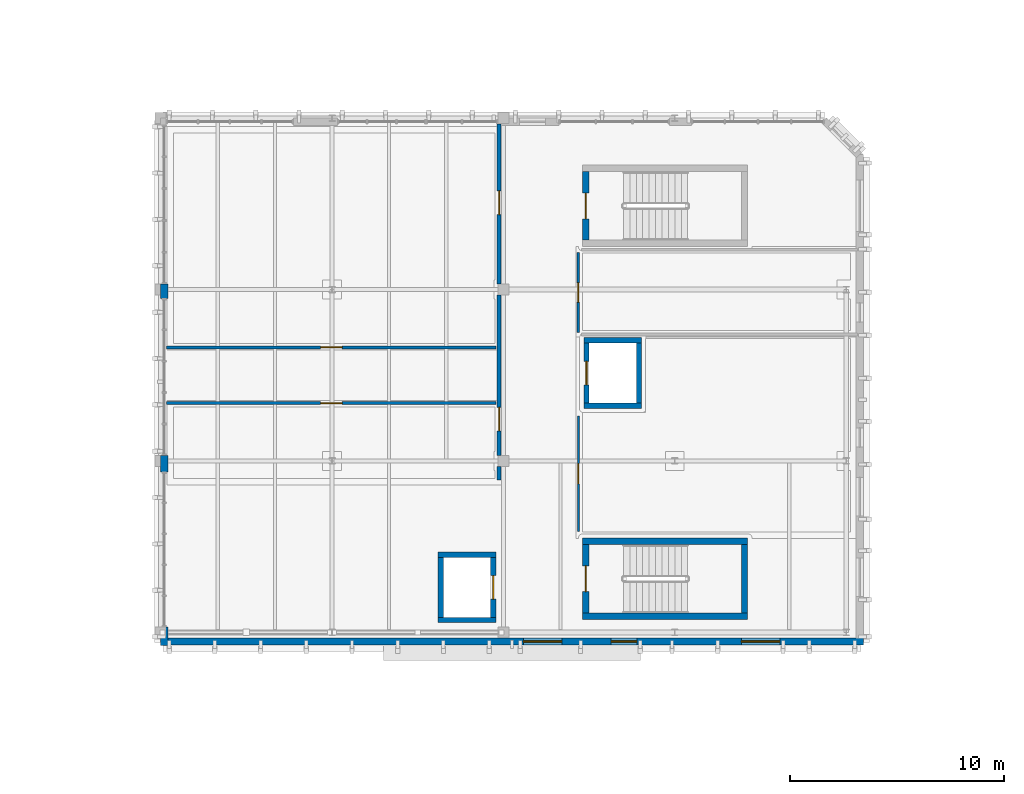
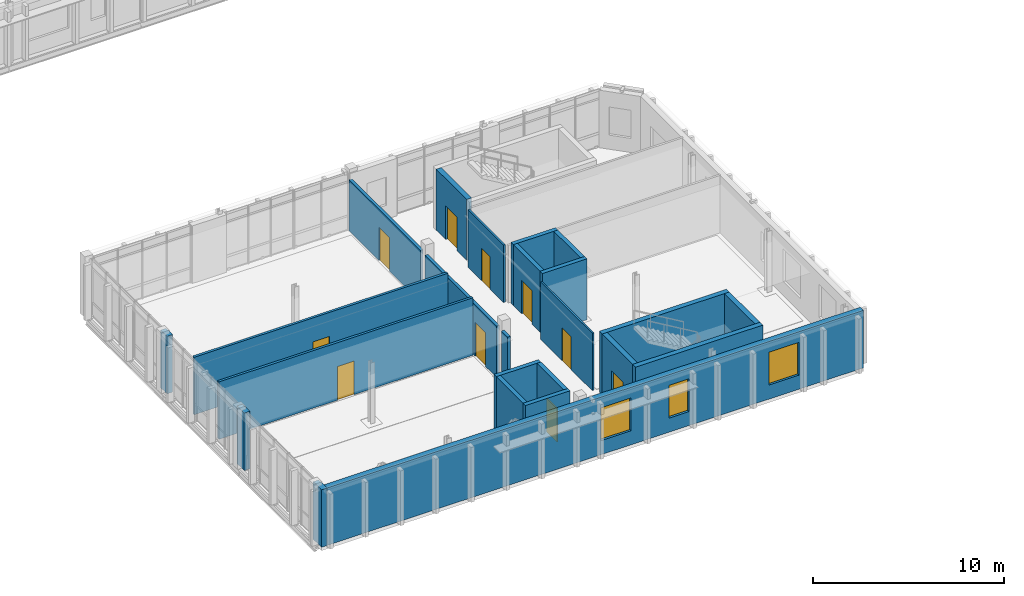
# One storey, part 26 of 40: 24 walls, 10 doors, 3 windows, 13 openings.
"""IFC4 building model written with IfcOpenShell, lengths in metres."""

from ifc_helpers import new_model, si_unit, direction, frame, frame_2d, origin, place, context, subcontext, project, spatial, rectangle, extrude, material, layer, layer_set, type_object, element, fill, save


model = new_model("IFC4")

# Units and contexts
model_context = context("Model", 3, precision=1e-05, world=origin(), true_north=direction((0.0, 1.0)))
body_context = subcontext(model_context, "Body", "Model", "MODEL_VIEW")
ifc_project = project(units=[si_unit("LENGTHUNIT", "METRE"), si_unit("AREAUNIT", "SQUARE_METRE"), si_unit("VOLUMEUNIT", "CUBIC_METRE"), si_unit("PLANEANGLEUNIT", "RADIAN"), si_unit("MASSUNIT", "GRAM", prefix="KILO")], contexts=[model_context])

# Site, building, storey
site_placement = place(None, origin())
site = spatial("IfcSite", under=ifc_project, at=site_placement, CompositionType="ELEMENT")
building_placement = place(site_placement, origin())
building = spatial("IfcBuilding", under=site, at=building_placement, Name="Cymarion Research Institute", CompositionType="ELEMENT")
storey_placement = place(building_placement, frame((0.0, 0.0, 26.699951171875)))
storey = spatial("IfcBuildingStorey", under=building, at=storey_placement, Name="L06", CompositionType="ELEMENT", Elevation=26.699951171875)

# Wall, openings, windows
ifc_material_1 = material(Name="Precast concrete C40/50", Category="concrete")
ifc_layer_1 = layer(ifc_material_1, 0.340087890625)
ifc_layer_set_1 = layer_set([ifc_layer_1], Name="Precast concrete C40/50")
wall_type_1 = type_object("IfcWallType", Name="EXTERIOR WALL EW-PC340 340MM", PredefinedType="SOLIDWALL", material=ifc_layer_set_1)
wall_1_placement = place(storey_placement, frame((14.922119140625, 47.070068359375, 0.0), z_axis=(0.0, 0.0, 1.0), x_axis=(1.0, 0.0, 0.0)))
wall_1 = element("IfcWall", 1, at=wall_1_placement, inside=storey, type_object=wall_type_1, Name="L06 V4 exterior wall EW-PC340 #260", PredefinedType="SOLIDWALL", context=body_context, shape_type="SweptSolid", body=[
    extrude(rectangle(XDim=32.477783203125, YDim=0.340087890625, at=frame_2d((16.23876953125, 0.0))), origin(), (0.0, 0.0, 1.0), 3.679931640625),
])
opening_1_placement = place(wall_1_placement, frame((16.60791015625, 0.0, 0.89990234375)))
opening_1 = element("IfcOpeningElement", 2, at=opening_1_placement, cuts=wall_1, Name="Opening W10", PredefinedType="OPENING", context=body_context, shape_type="SweptSolid", body=[
    extrude(rectangle(XDim=1.800048828125, YDim=2.10009765625, at=frame_2d((0.89990234375, 1.050048828125))), frame((0.0, 0.179931640625, 0.0), z_axis=(0.0, -1.0, 0.0), x_axis=(1.0, 0.0, 0.0)), (0.0, 0.0, 1.0), 0.360107421875),
])
opening_2_placement = place(wall_1_placement, frame((20.7080078125, 0.0, 0.89990234375)))
opening_2 = element("IfcOpeningElement", 3, at=opening_2_placement, cuts=wall_1, Name="Opening W08", PredefinedType="OPENING", context=body_context, shape_type="SweptSolid", body=[
    extrude(rectangle(XDim=1.199951171875, YDim=2.10009765625, at=frame_2d((0.60009765625, 1.050048828125))), frame((0.0, 0.179931640625, 0.0), z_axis=(0.0, -1.0, 0.0), x_axis=(1.0, 0.0, 0.0)), (0.0, 0.0, 1.0), 0.360107421875),
])
opening_3_placement = place(wall_1_placement, frame((26.778076171875, 0.0, 0.89990234375)))
opening_3 = element("IfcOpeningElement", 4, at=opening_3_placement, cuts=wall_1, Name="Opening W10", PredefinedType="OPENING", context=body_context, shape_type="SweptSolid", body=[
    extrude(rectangle(XDim=1.800048828125, YDim=2.10009765625, at=frame_2d((0.89990234375, 1.050048828125))), frame((0.0, 0.179931640625, 0.0), z_axis=(0.0, -1.0, 0.0), x_axis=(1.0, 0.0, 0.0)), (0.0, 0.0, 1.0), 0.360107421875),
])
ifc_material_2 = material(Name="Thermally broken aluminium window with Low-E glazing", Category="aluminium")
window_type_1 = type_object("IfcWindowType", Name="THERMALLY BROKEN ALUMINIUM WINDOW W08 1200X2100", PartitioningType="SINGLE_PANEL", PredefinedType="WINDOW", material=ifc_material_2)
window_1_placement = place(opening_2_placement, origin())
window_1 = element("IfcWindow", 5, at=window_1_placement, inside=storey, type_object=window_type_1, Name="L06 V4 facade window W08 #476", OverallHeight=2.10009765625, OverallWidth=1.199951171875, PartitioningType="SINGLE_PANEL", PredefinedType="WINDOW", context=body_context, shape_type="SweptSolid", body=[
    extrude(rectangle(XDim=1.199951171875, YDim=2.10009765625, at=frame_2d((0.60009765625, 1.050048828125))), frame((0.0, 0.030029296875, 0.0), z_axis=(0.0, -1.0, 0.0), x_axis=(1.0, 0.0, 0.0)), (0.0, 0.0, 1.0), 0.06005859375),
])
fill(opening_2, window_1)
window_type_2 = type_object("IfcWindowType", Name="THERMALLY BROKEN ALUMINIUM WINDOW W10 1800X2100", PartitioningType="DOUBLE_PANEL_VERTICAL", PredefinedType="WINDOW", material=ifc_material_2)
window_2_placement = place(opening_1_placement, origin())
window_2 = element("IfcWindow", 6, at=window_2_placement, inside=storey, type_object=window_type_2, Name="L06 V4 facade window W10 #475", OverallHeight=2.10009765625, OverallWidth=1.800048828125, PartitioningType="SINGLE_PANEL", PredefinedType="WINDOW", context=body_context, shape_type="SweptSolid", body=[
    extrude(rectangle(XDim=1.800048828125, YDim=2.10009765625, at=frame_2d((0.89990234375, 1.050048828125))), frame((0.0, 0.030029296875, 0.0), z_axis=(0.0, -1.0, 0.0), x_axis=(1.0, 0.0, 0.0)), (0.0, 0.0, 1.0), 0.06005859375),
])
fill(opening_1, window_2)
window_3_placement = place(opening_3_placement, origin())
window_3 = element("IfcWindow", 7, at=window_3_placement, inside=storey, type_object=window_type_2, Name="L06 V4 facade window W10 #477", OverallHeight=2.10009765625, OverallWidth=1.800048828125, PartitioningType="SINGLE_PANEL", PredefinedType="WINDOW", context=body_context, shape_type="SweptSolid", body=[
    extrude(rectangle(XDim=1.800048828125, YDim=2.10009765625, at=frame_2d((0.89990234375, 1.050048828125))), frame((0.0, 0.030029296875, 0.0), z_axis=(0.0, -1.0, 0.0), x_axis=(1.0, 0.0, 0.0)), (0.0, 0.0, 1.0), 0.06005859375),
])
fill(opening_3, window_3)

# Walls
wall_2_placement = place(storey_placement, frame((14.77001953125, 63.760009765625, 0.0), z_axis=(0.0, 0.0, 1.0), x_axis=(0.0, -1.0, 0.0)))
element("IfcWall", 8, at=wall_2_placement, inside=storey, type_object=wall_type_1, Name="L06 V4 facade pier wall EW-PC340 #267", PredefinedType="SOLIDWALL", context=body_context, shape_type="SweptSolid", body=[
    extrude(rectangle(XDim=0.6748046875, YDim=0.340087890625, at=frame_2d((0.33740234375, 0.0))), origin(), (0.0, 0.0, 1.0), 3.679931640625),
])
wall_3_placement = place(storey_placement, frame((14.77001953125, 55.760009765625, 0.0), z_axis=(0.0, 0.0, 1.0), x_axis=(0.0, -1.0, 0.0)))
element("IfcWall", 9, at=wall_3_placement, inside=storey, type_object=wall_type_1, Name="L06 V4 facade pier wall EW-PC340 #268", PredefinedType="SOLIDWALL", context=body_context, shape_type="SweptSolid", body=[
    extrude(rectangle(XDim=0.767333984375, YDim=0.340087890625, at=frame_2d((0.3837890625, 0.0))), origin(), (0.0, 0.0, 1.0), 3.679931640625),
])
wall_4_placement = place(storey_placement, frame((14.77001953125, 47.760009765625, 0.0), z_axis=(0.0, 0.0, 1.0), x_axis=(0.0, -1.0, 0.0)))
element("IfcWall", 10, at=wall_4_placement, inside=storey, type_object=wall_type_1, Name="L06 V4 facade pier wall EW-PC340 #269", PredefinedType="SOLIDWALL", context=body_context, shape_type="SweptSolid", body=[
    extrude(rectangle(XDim=0.860107421875, YDim=0.340087890625, at=frame_2d((0.43017578125, 0.0))), origin(), (0.0, 0.0, 1.0), 3.679931640625),
])

# Wall, opening, door
ifc_material_3 = material(Name="Gypsum acoustic double-stud partition", Category="gypsum")
ifc_layer_2 = layer(ifc_material_3, 0.14990234375)
ifc_layer_set_2 = layer_set([ifc_layer_2], Name="Gypsum acoustic double-stud partition")
wall_type_2 = type_object("IfcWallType", Name="INTERIOR PARTITION IW-AC150 150MM", PredefinedType="PARTITIONING", material=ifc_layer_set_2)
wall_5_placement = place(storey_placement, frame((14.885009765625, 58.199951171875, 0.0), z_axis=(0.0, 0.0, 1.0), x_axis=(1.0, 0.0, 0.0)))
wall_5 = element("IfcWall", 11, at=wall_5_placement, inside=storey, type_object=wall_type_2, Name="L06 V4 interior partition IW-AC150 #357", PredefinedType="PARTITIONING", context=body_context, shape_type="SweptSolid", body=[
    extrude(rectangle(XDim=15.364990234375, YDim=0.14990234375, at=frame_2d((7.6826171875, 0.0))), origin(), (0.0, 0.0, 1.0), 3.679931640625),
])
opening_4_placement = place(wall_5_placement, frame((7.181884765625, 0.0, 0.0)))
opening_4 = element("IfcOpeningElement", 12, at=opening_4_placement, cuts=wall_5, Name="Opening D-L06-211", PredefinedType="OPENING", context=body_context, shape_type="SweptSolid", body=[
    extrude(rectangle(XDim=1.0, YDim=2.14990234375, at=frame_2d((0.5, 1.074951171875))), frame((0.0, 0.0849609375, 0.0), z_axis=(0.0, -1.0, 0.0), x_axis=(1.0, 0.0, 0.0)), (0.0, 0.0, 1.0), 0.169921875),
])
ifc_material_4 = material(Name="Flush acoustic timber/steel door assembly", Category="steel")
door_type_1 = type_object("IfcDoorType", Name="LABORATORY SINGLE LEAF DOOR DT-LB100 1000X2150", OperationType="NOTDEFINED", PredefinedType="DOOR", material=ifc_material_4)
door_1_placement = place(opening_4_placement, origin())
door_1 = element("IfcDoor", 13, at=door_1_placement, inside=storey, type_object=door_type_1, Name="L06 Laser Lab door D-L06-211", OperationType="SINGLE_SWING_RIGHT", OverallHeight=2.14990234375, OverallWidth=1.0, PredefinedType="DOOR", context=body_context, shape_type="SweptSolid", body=[
    extrude(rectangle(XDim=1.0, YDim=2.14990234375, at=frame_2d((0.5, 1.074951171875))), frame((0.0, 0.02490234375, 0.0), z_axis=(0.0, -1.0, 0.0), x_axis=(1.0, 0.0, 0.0)), (0.0, 0.0, 1.0), 0.050048828125),
])
fill(opening_4, door_1)

wall_6_placement = place(storey_placement, frame((14.885009765625, 60.800048828125, 0.0), z_axis=(0.0, 0.0, 1.0), x_axis=(1.0, 0.0, 0.0)))
wall_6 = element("IfcWall", 14, at=wall_6_placement, inside=storey, type_object=wall_type_2, Name="L06 V4 interior partition IW-AC150 #358", PredefinedType="PARTITIONING", context=body_context, shape_type="SweptSolid", body=[
    extrude(rectangle(XDim=15.364990234375, YDim=0.14990234375, at=frame_2d((7.6826171875, 0.0))), origin(), (0.0, 0.0, 1.0), 3.679931640625),
])
opening_5_placement = place(wall_6_placement, frame((7.181884765625, 0.0, 0.0)))
opening_5 = element("IfcOpeningElement", 15, at=opening_5_placement, cuts=wall_6, Name="Opening D-L06-212", PredefinedType="OPENING", context=body_context, shape_type="SweptSolid", body=[
    extrude(rectangle(XDim=1.0, YDim=2.14990234375, at=frame_2d((0.5, 1.074951171875))), frame((0.0, 0.0849609375, 0.0), z_axis=(0.0, -1.0, 0.0), x_axis=(1.0, 0.0, 0.0)), (0.0, 0.0, 1.0), 0.169921875),
])
door_2_placement = place(opening_5_placement, origin())
door_2 = element("IfcDoor", 16, at=door_2_placement, inside=storey, type_object=door_type_1, Name="L06 Photonics Lab door D-L06-212", OperationType="SINGLE_SWING_LEFT", OverallHeight=2.14990234375, OverallWidth=1.0, PredefinedType="DOOR", context=body_context, shape_type="SweptSolid", body=[
    extrude(rectangle(XDim=1.0, YDim=2.14990234375, at=frame_2d((0.5, 1.074951171875))), frame((0.0, 0.02490234375, 0.0), z_axis=(0.0, -1.0, 0.0), x_axis=(1.0, 0.0, 0.0)), (0.0, 0.0, 1.0), 0.050048828125),
])
fill(opening_5, door_2)

ifc_material_5 = material(Name="Framed acoustic glass laboratory screen", Category="glass")
ifc_layer_3 = layer(ifc_material_5, 0.10009765625)
ifc_layer_set_3 = layer_set([ifc_layer_3], Name="Framed acoustic glass laboratory screen")
wall_type_3 = type_object("IfcWallType", Name="INTERIOR PARTITION IW-GL100 100MM", PredefinedType="PARTITIONING", material=ifc_layer_set_3)
wall_7_placement = place(storey_placement, frame((34.10009765625, 52.199951171875, 0.0), z_axis=(0.0, 0.0, 1.0), x_axis=(0.0, 1.0, 0.0)))
wall_7 = element("IfcWall", 17, at=wall_7_placement, inside=storey, type_object=wall_type_3, Name="L06 V4 interior partition IW-GL100 #362", PredefinedType="PARTITIONING", context=body_context, shape_type="SweptSolid", body=[
    extrude(rectangle(XDim=5.400146484375, YDim=0.10009765625, at=frame_2d((2.7001953125, 0.0))), origin(), (0.0, 0.0, 1.0), 3.679931640625),
])
opening_6_placement = place(wall_7_placement, frame((2.22509765625, 0.0, 0.0)))
opening_6 = element("IfcOpeningElement", 18, at=opening_6_placement, cuts=wall_7, Name="Opening D-L06-215", PredefinedType="OPENING", context=body_context, shape_type="SweptSolid", body=[
    extrude(rectangle(XDim=0.949951171875, YDim=2.10009765625, at=frame_2d((0.47509765625, 1.050048828125))), frame((0.0, 0.06005859375, 0.0), z_axis=(0.0, -1.0, 0.0), x_axis=(1.0, 0.0, 0.0)), (0.0, 0.0, 1.0), 0.1201171875),
])
door_type_2 = type_object("IfcDoorType", Name="FACULTY STUDY DOOR DT-OF095 950X2100", OperationType="NOTDEFINED", PredefinedType="DOOR", material=ifc_material_4)
door_3_placement = place(opening_6_placement, origin())
door_3 = element("IfcDoor", 19, at=door_3_placement, inside=storey, type_object=door_type_2, Name="L06 East Write-up door D-L06-215", OperationType="SINGLE_SWING_RIGHT", OverallHeight=2.10009765625, OverallWidth=0.949951171875, PredefinedType="DOOR", context=body_context, shape_type="SweptSolid", body=[
    extrude(rectangle(XDim=0.949951171875, YDim=2.10009765625, at=frame_2d((0.47509765625, 1.050048828125))), frame((0.0, 0.02490234375, 0.0), z_axis=(0.0, -1.0, 0.0), x_axis=(1.0, 0.0, 0.0)), (0.0, 0.0, 1.0), 0.050048828125),
])
fill(opening_6, door_3)

# Wall
ifc_material_6 = material(Name="Moisture-resistant laboratory partition", Category="gypsum")
ifc_layer_4 = layer(ifc_material_6, 0.179931640625)
ifc_layer_set_4 = layer_set([ifc_layer_4], Name="Moisture-resistant laboratory partition")
wall_type_4 = type_object("IfcWallType", Name="INTERIOR PARTITION IW-LB180 180MM", PredefinedType="PARTITIONING", material=ifc_layer_set_4)
wall_8_placement = place(storey_placement, frame((30.39990234375, 54.60009765625, 0.0), z_axis=(0.0, 0.0, 1.0), x_axis=(0.0, 1.0, 0.0)))
element("IfcWall", 20, at=wall_8_placement, inside=storey, type_object=wall_type_4, Name="L06 V4 interior partition IW-LB180 #359", PredefinedType="PARTITIONING", context=body_context, shape_type="SweptSolid", body=[
    extrude(rectangle(XDim=0.64990234375, YDim=0.179931640625, at=frame_2d((0.324951171875, 0.0))), origin(), (0.0, 0.0, 1.0), 3.280029296875),
])

# Wall, opening, door
wall_9_placement = place(storey_placement, frame((30.39990234375, 55.75, 0.0), z_axis=(0.0, 0.0, 1.0), x_axis=(0.0, 1.0, 0.0)))
wall_9 = element("IfcWall", 21, at=wall_9_placement, inside=storey, type_object=wall_type_4, Name="L06 V4 interior partition IW-LB180 #360", PredefinedType="PARTITIONING", context=body_context, shape_type="SweptSolid", body=[
    extrude(rectangle(XDim=7.5, YDim=0.179931640625, at=frame_2d((3.75, 0.0))), origin(), (0.0, 0.0, 1.0), 3.280029296875),
])
opening_7_placement = place(wall_9_placement, frame((1.152099609375, 0.0, 0.0)))
opening_7 = element("IfcOpeningElement", 22, at=opening_7_placement, cuts=wall_9, Name="Opening D-L06-213", PredefinedType="OPENING", context=body_context, shape_type="SweptSolid", body=[
    extrude(rectangle(XDim=1.10009765625, YDim=2.14990234375, at=frame_2d((0.550048828125, 1.074951171875))), frame((0.0, 0.099853515625, 0.0), z_axis=(0.0, -1.0, 0.0), x_axis=(1.0, 0.0, 0.0)), (0.0, 0.0, 1.0), 0.199951171875),
])
door_type_3 = type_object("IfcDoorType", Name="LABORATORY WIDE SINGLE DOOR DT-LB110 1100X2150", OperationType="NOTDEFINED", PredefinedType="DOOR", material=ifc_material_4)
door_4_placement = place(opening_7_placement, origin())
door_4 = element("IfcDoor", 23, at=door_4_placement, inside=storey, type_object=door_type_3, Name="L06 Optics South door D-L06-213", OperationType="SINGLE_SWING_RIGHT", OverallHeight=2.14990234375, OverallWidth=1.10009765625, PredefinedType="DOOR", context=body_context, shape_type="SweptSolid", body=[
    extrude(rectangle(XDim=1.10009765625, YDim=2.14990234375, at=frame_2d((0.550048828125, 1.074951171875))), frame((0.0, 0.02490234375, 0.0), z_axis=(0.0, -1.0, 0.0), x_axis=(1.0, 0.0, 0.0)), (0.0, 0.0, 1.0), 0.050048828125),
])
fill(opening_7, door_4)

wall_10_placement = place(storey_placement, frame((30.39990234375, 63.75, 0.0), z_axis=(0.0, 0.0, 1.0), x_axis=(0.0, 1.0, 0.0)))
wall_10 = element("IfcWall", 24, at=wall_10_placement, inside=storey, type_object=wall_type_4, Name="L06 V4 interior partition IW-LB180 #361", PredefinedType="PARTITIONING", context=body_context, shape_type="SweptSolid", body=[
    extrude(rectangle(XDim=7.465087890625, YDim=0.179931640625, at=frame_2d((3.732421875, 0.0))), origin(), (0.0, 0.0, 1.0), 3.280029296875),
])
opening_8_placement = place(wall_10_placement, frame((3.248046875, 0.0, 0.0)))
opening_8 = element("IfcOpeningElement", 25, at=opening_8_placement, cuts=wall_10, Name="Opening D-L06-214", PredefinedType="OPENING", context=body_context, shape_type="SweptSolid", body=[
    extrude(rectangle(XDim=1.10009765625, YDim=2.14990234375, at=frame_2d((0.550048828125, 1.074951171875))), frame((0.0, 0.099853515625, 0.0), z_axis=(0.0, -1.0, 0.0), x_axis=(1.0, 0.0, 0.0)), (0.0, 0.0, 1.0), 0.199951171875),
])
door_5_placement = place(opening_8_placement, origin())
door_5 = element("IfcDoor", 26, at=door_5_placement, inside=storey, type_object=door_type_3, Name="L06 Optics North door D-L06-214", OperationType="SINGLE_SWING_LEFT", OverallHeight=2.14990234375, OverallWidth=1.10009765625, PredefinedType="DOOR", context=body_context, shape_type="SweptSolid", body=[
    extrude(rectangle(XDim=1.10009765625, YDim=2.14990234375, at=frame_2d((0.550048828125, 1.074951171875))), frame((0.0, 0.02490234375, 0.0), z_axis=(0.0, -1.0, 0.0), x_axis=(1.0, 0.0, 0.0)), (0.0, 0.0, 1.0), 0.050048828125),
])
fill(opening_8, door_5)

ifc_material_7 = material(Name="Service riser shaft wall", Category="gypsum")
ifc_layer_5 = layer(ifc_material_7, 0.1201171875)
ifc_layer_set_5 = layer_set([ifc_layer_5], Name="Service riser shaft wall")
wall_type_5 = type_object("IfcWallType", Name="INTERIOR PARTITION IW-SH120 120MM", PredefinedType="PARTITIONING", material=ifc_layer_set_5)
wall_11_placement = place(storey_placement, frame((34.10009765625, 61.5, 0.0), z_axis=(0.0, 0.0, 1.0), x_axis=(0.0, 1.0, 0.0)))
wall_11 = element("IfcWall", 27, at=wall_11_placement, inside=storey, type_object=wall_type_5, Name="L06 V4 interior partition IW-SH120 #363", PredefinedType="PARTITIONING", context=body_context, shape_type="SweptSolid", body=[
    extrude(rectangle(XDim=3.719970703125, YDim=0.1201171875, at=frame_2d((1.85986328125, 0.0))), origin(), (0.0, 0.0, 1.0), 3.679931640625),
])
opening_9_placement = place(wall_11_placement, frame((1.409912109375, 0.0, 0.0)))
opening_9 = element("IfcOpeningElement", 28, at=opening_9_placement, cuts=wall_11, Name="Opening D-L06-216", PredefinedType="OPENING", context=body_context, shape_type="SweptSolid", body=[
    extrude(rectangle(XDim=0.89990234375, YDim=2.10009765625, at=frame_2d((0.449951171875, 1.050048828125))), frame((0.0, 0.070068359375, 0.0), z_axis=(0.0, -1.0, 0.0), x_axis=(1.0, 0.0, 0.0)), (0.0, 0.0, 1.0), 0.14013671875),
])
door_type_4 = type_object("IfcDoorType", Name="ACCESSIBLE RESTROOM DOOR DT-WC090 900X2100", OperationType="NOTDEFINED", PredefinedType="DOOR", material=ifc_material_4)
door_6_placement = place(opening_9_placement, origin())
door_6 = element("IfcDoor", 29, at=door_6_placement, inside=storey, type_object=door_type_4, Name="L06 Upper V4 WC door D-L06-216", OperationType="SINGLE_SWING_LEFT", OverallHeight=2.10009765625, OverallWidth=0.89990234375, PredefinedType="DOOR", context=body_context, shape_type="SweptSolid", body=[
    extrude(rectangle(XDim=0.89990234375, YDim=2.10009765625, at=frame_2d((0.449951171875, 1.050048828125))), frame((0.0, 0.02490234375, 0.0), z_axis=(0.0, -1.0, 0.0), x_axis=(1.0, 0.0, 0.0)), (0.0, 0.0, 1.0), 0.050048828125),
])
fill(opening_9, door_6)

# Walls
ifc_material_8 = material(Name="Concrete C40/50", Category="concrete")
ifc_layer_6 = layer(ifc_material_8, 0.25)
ifc_layer_set_6 = layer_set([ifc_layer_6], Name="Concrete C40/50")
wall_type_6 = type_object("IfcWallType", Name="REINFORCED CONCRETE CORE WALL CW-SH250 250MM", PredefinedType="SHEAR", material=ifc_layer_set_6)
for number, where, z_axis, x_axis, name in (
    (30, (27.550048828125, 48.074951171875, 0.0), (0.0, 0.0, 1.0), (1.0, 0.0, 0.0), "L06 LSH-LP1-L06 south core wall"),
    (31, (30.25, 51.125, 0.0), (0.0, 0.0, 1.0), (-1.0, 0.0, 0.0), "L06 LSH-LP1-L06 north core wall"),
):
    element("IfcWall", number, at=place(storey_placement, frame(where, z_axis=z_axis, x_axis=x_axis)), inside=storey, type_object=wall_type_6, Name=name, PredefinedType="SHEAR", context=body_context, shape_type="SweptSolid", body=[
        extrude(rectangle(XDim=2.699951171875, YDim=0.25, at=frame_2d((1.35009765625, 0.0))), origin(), (0.0, 0.0, 1.0), 3.900146484375),
    ])
wall_12_placement = place(storey_placement, frame((27.675048828125, 51.0, 0.0), z_axis=(0.0, 0.0, 1.0), x_axis=(0.0, -1.0, 0.0)))
element("IfcWall", 32, at=wall_12_placement, inside=storey, type_object=wall_type_6, Name="L06 LSH-LP1-L06 west core wall", PredefinedType="SHEAR", context=body_context, shape_type="SweptSolid", body=[
    extrude(rectangle(XDim=2.800048828125, YDim=0.25, at=frame_2d((1.39990234375, 0.0))), origin(), (0.0, 0.0, 1.0), 3.900146484375),
])

# Wall, opening, door
wall_13_placement = place(storey_placement, frame((30.125, 48.199951171875, 0.0), z_axis=(0.0, 0.0, 1.0), x_axis=(0.0, 1.0, 0.0)))
wall_13 = element("IfcWall", 33, at=wall_13_placement, inside=storey, type_object=wall_type_6, Name="L06 LSH-LP1-L06 east core wall", PredefinedType="SHEAR", context=body_context, shape_type="SweptSolid", body=[
    extrude(rectangle(XDim=2.800048828125, YDim=0.25, at=frame_2d((1.39990234375, 0.0))), origin(), (0.0, 0.0, 1.0), 3.900146484375),
])
opening_10_placement = place(wall_13_placement, frame((0.85009765625, 0.0, 0.0)))
opening_10 = element("IfcOpeningElement", 34, at=opening_10_placement, cuts=wall_13, Name="Opening LD-LP1-L06", PredefinedType="OPENING", context=body_context, shape_type="SweptSolid", body=[
    extrude(rectangle(XDim=1.10009765625, YDim=2.14990234375, at=frame_2d((0.550048828125, 1.074951171875))), frame((0.0, 0.135009765625, 0.0), z_axis=(0.0, -1.0, 0.0), x_axis=(1.0, 0.0, 0.0)), (0.0, 0.0, 1.0), 0.27001953125),
])
ifc_material_9 = material(Name="Fire-rated insulated steel door assembly", Category="steel")
door_type_5 = type_object("IfcDoorType", Name="SLIDING LIFT LANDING DOOR DT-LD110 1100X2150", OperationType="DOUBLE_DOOR_SLIDING", PredefinedType="DOOR", material=ifc_material_9)
door_7_placement = place(opening_10_placement, origin())
door_7 = element("IfcDoor", 35, at=door_7_placement, inside=storey, type_object=door_type_5, Name="Lift LP1 landing door L06", OperationType="DOUBLE_DOOR_SLIDING", OverallHeight=2.14990234375, OverallWidth=1.10009765625, PredefinedType="DOOR", context=body_context, shape_type="SweptSolid", body=[
    extrude(rectangle(XDim=1.10009765625, YDim=2.14990234375, at=frame_2d((0.550048828125, 1.074951171875))), frame((0.0, 0.02490234375, 0.0), z_axis=(0.0, -1.0, 0.0), x_axis=(1.0, 0.0, 0.0)), (0.0, 0.0, 1.0), 0.050048828125),
])
fill(opening_10, door_7)

# Walls
for number, where, z_axis, x_axis, name in (
    (36, (34.35009765625, 58.074951171875, 0.0), (0.0, 0.0, 1.0), (1.0, 0.0, 0.0), "L06 LSH-LP4-L06 south core wall"),
    (37, (37.050048828125, 61.125, 0.0), (0.0, 0.0, 1.0), (-1.0, 0.0, 0.0), "L06 LSH-LP4-L06 north core wall"),
):
    element("IfcWall", number, at=place(storey_placement, frame(where, z_axis=z_axis, x_axis=x_axis)), inside=storey, type_object=wall_type_6, Name=name, PredefinedType="SHEAR", context=body_context, shape_type="SweptSolid", body=[
        extrude(rectangle(XDim=2.699951171875, YDim=0.25, at=frame_2d((1.35009765625, 0.0))), origin(), (0.0, 0.0, 1.0), 3.900146484375),
    ])

# Wall, opening, door
wall_14_placement = place(storey_placement, frame((34.47509765625, 61.0, 0.0), z_axis=(0.0, 0.0, 1.0), x_axis=(0.0, -1.0, 0.0)))
wall_14 = element("IfcWall", 38, at=wall_14_placement, inside=storey, type_object=wall_type_6, Name="L06 LSH-LP4-L06 west core wall", PredefinedType="SHEAR", context=body_context, shape_type="SweptSolid", body=[
    extrude(rectangle(XDim=2.800048828125, YDim=0.25, at=frame_2d((1.39990234375, 0.0))), origin(), (0.0, 0.0, 1.0), 3.900146484375),
])
opening_11_placement = place(wall_14_placement, frame((0.85009765625, 0.0, 0.0)))
opening_11 = element("IfcOpeningElement", 39, at=opening_11_placement, cuts=wall_14, Name="Opening LD-LP4-L06", PredefinedType="OPENING", context=body_context, shape_type="SweptSolid", body=[
    extrude(rectangle(XDim=1.10009765625, YDim=2.14990234375, at=frame_2d((0.550048828125, 1.074951171875))), frame((0.0, 0.135009765625, 0.0), z_axis=(0.0, -1.0, 0.0), x_axis=(1.0, 0.0, 0.0)), (0.0, 0.0, 1.0), 0.27001953125),
])
door_8_placement = place(opening_11_placement, origin())
door_8 = element("IfcDoor", 40, at=door_8_placement, inside=storey, type_object=door_type_5, Name="Lift LP4 landing door L06", OperationType="DOUBLE_DOOR_SLIDING", OverallHeight=2.14990234375, OverallWidth=1.10009765625, PredefinedType="DOOR", context=body_context, shape_type="SweptSolid", body=[
    extrude(rectangle(XDim=1.10009765625, YDim=2.14990234375, at=frame_2d((0.550048828125, 1.074951171875))), frame((0.0, 0.02490234375, 0.0), z_axis=(0.0, -1.0, 0.0), x_axis=(1.0, 0.0, 0.0)), (0.0, 0.0, 1.0), 0.050048828125),
])
fill(opening_11, door_8)

# Walls
wall_15_placement = place(storey_placement, frame((36.925048828125, 58.199951171875, 0.0), z_axis=(0.0, 0.0, 1.0), x_axis=(0.0, 1.0, 0.0)))
element("IfcWall", 41, at=wall_15_placement, inside=storey, type_object=wall_type_6, Name="L06 LSH-LP4-L06 east core wall", PredefinedType="SHEAR", context=body_context, shape_type="SweptSolid", body=[
    extrude(rectangle(XDim=2.800048828125, YDim=0.25, at=frame_2d((1.39990234375, 0.0))), origin(), (0.0, 0.0, 1.0), 3.900146484375),
])
ifc_layer_7 = layer(ifc_material_8, 0.300048828125)
ifc_layer_set_7 = layer_set([ifc_layer_7], Name="Concrete C40/50")
wall_type_7 = type_object("IfcWallType", Name="REINFORCED CONCRETE CORE WALL CW-SH300 300MM", PredefinedType="SHEAR", material=ifc_layer_set_7)
for number, where, z_axis, x_axis, name in (
    (42, (34.300048828125, 48.25, 0.0), (0.0, 0.0, 1.0), (1.0, 0.0, 0.0), "L06 SHW-C7-L06 south core wall"),
    (43, (42.0, 51.75, 0.0), (0.0, 0.0, 1.0), (-1.0, 0.0, 0.0), "L06 SHW-C7-L06 north core wall"),
):
    element("IfcWall", number, at=place(storey_placement, frame(where, z_axis=z_axis, x_axis=x_axis)), inside=storey, type_object=wall_type_7, Name=name, PredefinedType="SHEAR", context=body_context, shape_type="SweptSolid", body=[
        extrude(rectangle(XDim=7.699951171875, YDim=0.300048828125, at=frame_2d((3.85009765625, 0.0))), origin(), (0.0, 0.0, 1.0), 3.900146484375),
    ])

# Wall, opening, door
wall_16_placement = place(storey_placement, frame((34.449951171875, 51.60009765625, 0.0), z_axis=(0.0, 0.0, 1.0), x_axis=(0.0, -1.0, 0.0)))
wall_16 = element("IfcWall", 44, at=wall_16_placement, inside=storey, type_object=wall_type_7, Name="L06 SHW-C7-L06 west core wall", PredefinedType="SHEAR", context=body_context, shape_type="SweptSolid", body=[
    extrude(rectangle(XDim=3.2001953125, YDim=0.300048828125, at=frame_2d((1.60009765625, 0.0))), origin(), (0.0, 0.0, 1.0), 3.900146484375),
])
opening_12_placement = place(wall_16_placement, frame((1.0, 0.0, 0.0)))
opening_12 = element("IfcOpeningElement", 45, at=opening_12_placement, cuts=wall_16, Name="Opening FD-L06-ST7", PredefinedType="OPENING", context=body_context, shape_type="SweptSolid", body=[
    extrude(rectangle(XDim=1.199951171875, YDim=2.14990234375, at=frame_2d((0.60009765625, 1.074951171875))), frame((0.0, 0.159912109375, 0.0), z_axis=(0.0, -1.0, 0.0), x_axis=(1.0, 0.0, 0.0)), (0.0, 0.0, 1.0), 0.320068359375),
])
door_type_6 = type_object("IfcDoorType", Name="SMOKE PROOF STAIR FIRE DOOR DT-ST120 1200X2150", OperationType="NOTDEFINED", PredefinedType="DOOR", material=ifc_material_9)
door_9_placement = place(opening_12_placement, origin())
door_9 = element("IfcDoor", 46, at=door_9_placement, inside=storey, type_object=door_type_6, Name="L06 ST7 smoke-proof stair door FD-L06-ST7", OperationType="SINGLE_SWING_RIGHT", OverallHeight=2.14990234375, OverallWidth=1.199951171875, PredefinedType="DOOR", context=body_context, shape_type="SweptSolid", body=[
    extrude(rectangle(XDim=1.199951171875, YDim=2.14990234375, at=frame_2d((0.60009765625, 1.074951171875))), frame((0.0, 0.02490234375, 0.0), z_axis=(0.0, -1.0, 0.0), x_axis=(1.0, 0.0, 0.0)), (0.0, 0.0, 1.0), 0.050048828125),
])
fill(opening_12, door_9)

# Wall
wall_17_placement = place(storey_placement, frame((41.85009765625, 48.39990234375, 0.0), z_axis=(0.0, 0.0, 1.0), x_axis=(0.0, 1.0, 0.0)))
element("IfcWall", 47, at=wall_17_placement, inside=storey, type_object=wall_type_7, Name="L06 SHW-C7-L06 east core wall", PredefinedType="SHEAR", context=body_context, shape_type="SweptSolid", body=[
    extrude(rectangle(XDim=3.2001953125, YDim=0.300048828125, at=frame_2d((1.60009765625, 0.0))), origin(), (0.0, 0.0, 1.0), 3.900146484375),
])

# Wall, opening, door
wall_18_placement = place(storey_placement, frame((34.449951171875, 69.0, 0.0), z_axis=(0.0, 0.0, 1.0), x_axis=(0.0, -1.0, 0.0)))
wall_18 = element("IfcWall", 48, at=wall_18_placement, inside=storey, type_object=wall_type_7, Name="L06 SHW-C8-L06 west core wall", PredefinedType="SHEAR", context=body_context, shape_type="SweptSolid", body=[
    extrude(rectangle(XDim=3.199951171875, YDim=0.300048828125, at=frame_2d((1.60009765625, 0.0))), origin(), (0.0, 0.0, 1.0), 3.900146484375),
])
opening_13_placement = place(wall_18_placement, frame((1.0, 0.0, 0.0)))
opening_13 = element("IfcOpeningElement", 49, at=opening_13_placement, cuts=wall_18, Name="Opening FD-L06-ST8", PredefinedType="OPENING", context=body_context, shape_type="SweptSolid", body=[
    extrude(rectangle(XDim=1.199951171875, YDim=2.14990234375, at=frame_2d((0.60009765625, 1.074951171875))), frame((0.0, 0.159912109375, 0.0), z_axis=(0.0, -1.0, 0.0), x_axis=(1.0, 0.0, 0.0)), (0.0, 0.0, 1.0), 0.320068359375),
])
door_10_placement = place(opening_13_placement, origin())
door_10 = element("IfcDoor", 50, at=door_10_placement, inside=storey, type_object=door_type_6, Name="L06 ST8 smoke-proof stair door FD-L06-ST8", OperationType="SINGLE_SWING_LEFT", OverallHeight=2.14990234375, OverallWidth=1.199951171875, PredefinedType="DOOR", context=body_context, shape_type="SweptSolid", body=[
    extrude(rectangle(XDim=1.199951171875, YDim=2.14990234375, at=frame_2d((0.60009765625, 1.074951171875))), frame((0.0, 0.02490234375, 0.0), z_axis=(0.0, -1.0, 0.0), x_axis=(1.0, 0.0, 0.0)), (0.0, 0.0, 1.0), 0.050048828125),
])
fill(opening_13, door_10)

save(model, "model.ifc")
